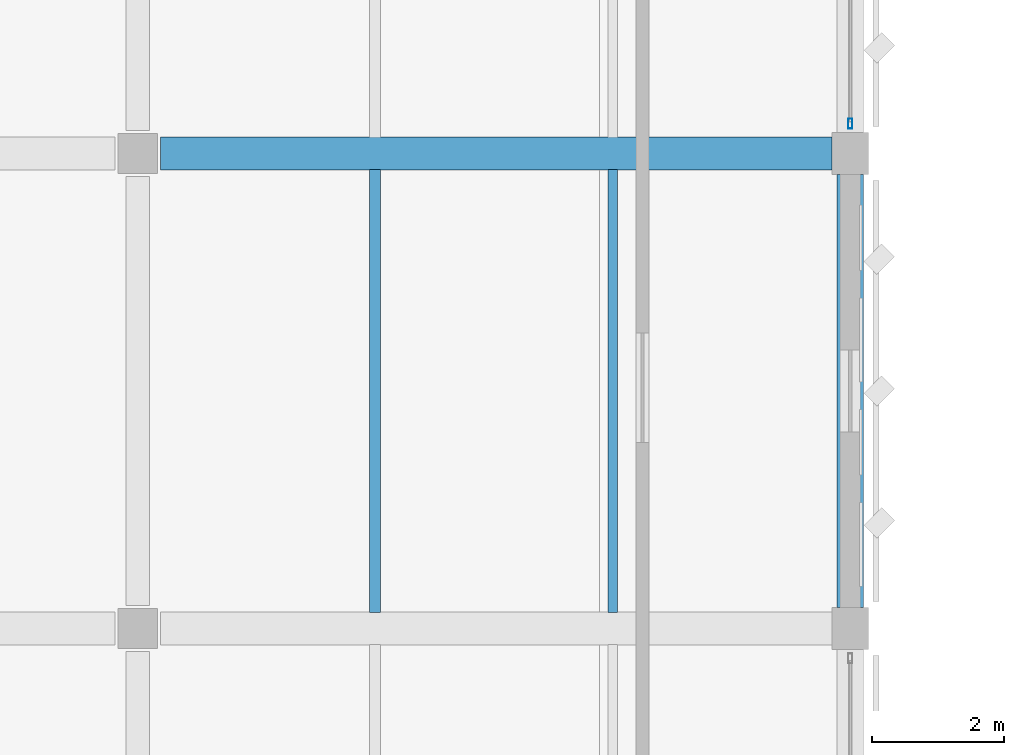
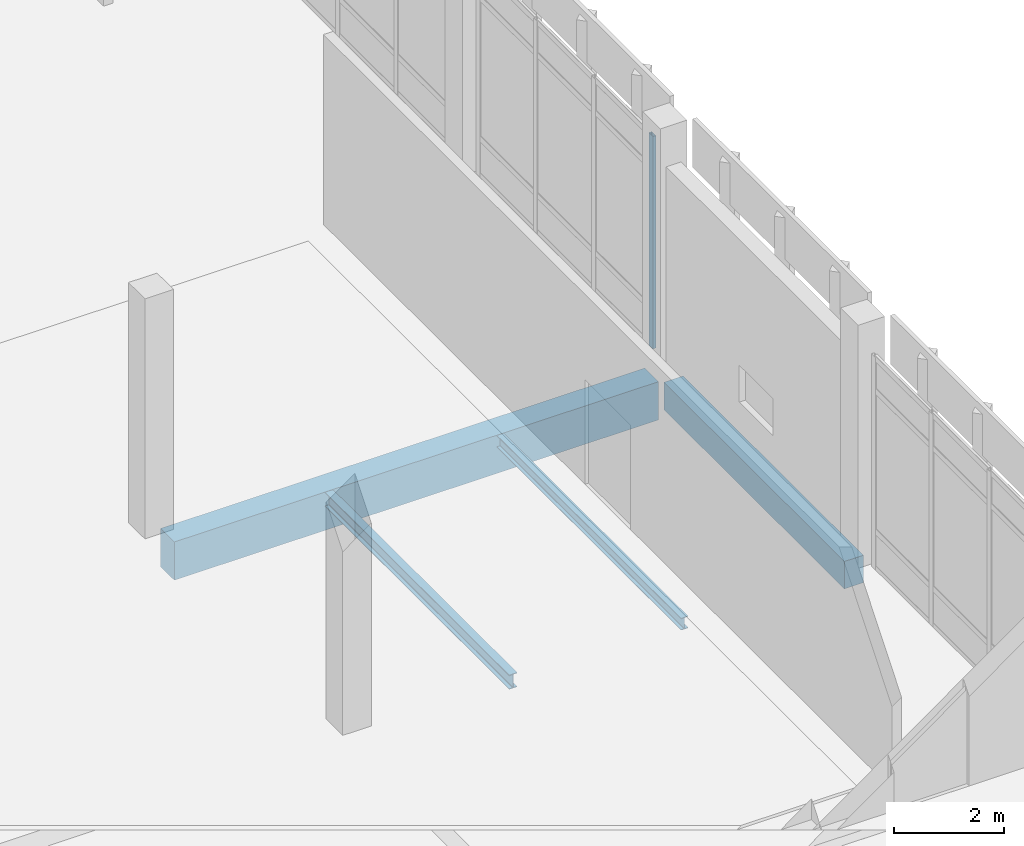
# One storey, part 26 of 180: 4 beams, 1 member, 1 element without a shape of its own.
"""IFC4 building model written with IfcOpenShell, lengths in metres."""

from ifc_helpers import new_model, si_unit, direction, frame, origin, origin_2d, place, context, subcontext, project, spatial, rectangle, hollow_rectangle, i_section, extrude, material, material_profile, profile_set, type_object, element, aggregate, save


model = new_model("IFC4")

# Units and contexts
model_context = context("Model", 3, precision=1e-05, world=origin(), true_north=direction((0.0, 1.0)))
body_context = subcontext(model_context, "Body", "Model", "MODEL_VIEW")
ifc_project = project(units=[si_unit("LENGTHUNIT", "METRE"), si_unit("AREAUNIT", "SQUARE_METRE"), si_unit("VOLUMEUNIT", "CUBIC_METRE"), si_unit("PLANEANGLEUNIT", "RADIAN"), si_unit("MASSUNIT", "GRAM", prefix="KILO")], contexts=[model_context])

# Site, building, storey
site_placement = place(None, origin())
site = spatial("IfcSite", under=ifc_project, at=site_placement, CompositionType="ELEMENT")
building_placement = place(site_placement, origin())
building = spatial("IfcBuilding", under=site, at=building_placement, Name="Lusvemor Sports Hall", CompositionType="ELEMENT")
storey_placement = place(building_placement, frame((0.0, 0.0, 5.39990234375)))
storey = spatial("IfcBuildingStorey", under=building, at=storey_placement, Name="L01", CompositionType="ELEMENT", Elevation=5.39990234375)

# Curtain wall, member
ifc_material_1 = material(Name="Thermally broken bronze-anodized aluminium", Category="aluminium")
curtain_wall_type = type_object("IfcCurtainWallType", Name="CW_WING_B", PredefinedType="NOTDEFINED", material=ifc_material_1)
curtain_wall_placement = place(storey_placement, origin())
curtain_wall = element("IfcCurtainWall", 1, at=curtain_wall_placement, inside=storey, type_object=curtain_wall_type, Name="Curtain Wall CW-L01-E-4-2", PredefinedType="NOTDEFINED")
ifc_material_2 = material(Name="Thermally broken bronze-anodized aluminium", Category="aluminium")
ifc_material_profile_1 = material_profile(ifc_material_2, hollow_rectangle(XDim=0.06494140625, YDim=0.14990234375, WallThickness=0.00390625, InnerFilletRadius=0.00390625, OuterFilletRadius=0.008056640625, at=origin_2d()), Name="CWMUL150x65x4")
ifc_profile_set_1 = profile_set([ifc_material_profile_1], Name="Thermally broken bronze-anodized aluminium")
member_type = type_object("IfcMemberType", Name="CW_MUL_B", PredefinedType="MULLION", material=ifc_profile_set_1)
member_placement = place(storey_placement, frame((21.60009765625, 61.652587890625, 0.0), z_axis=(0.0, 0.0, 1.0), x_axis=(1.0, 0.0, 0.0)))
member = element("IfcMember", 2, at=member_placement, type_object=member_type, Name="CW02 mullion 4", PredefinedType="MULLION", context=body_context, shape_type="SweptSolid", body=[
    extrude(hollow_rectangle(XDim=0.06494140625, YDim=0.14990234375, WallThickness=0.00390625, InnerFilletRadius=0.00390625, OuterFilletRadius=0.008056640625, at=origin_2d()), origin(), (0.0, 0.0, 1.0), 4.72021484375),
])
aggregate(curtain_wall, [member])

# Beams
ifc_material_3 = material(Name="Concrete C40/50", Category="concrete")
ifc_material_profile_2 = material_profile(ifc_material_3, rectangle(XDim=0.5, YDim=0.85009765625, at=origin_2d()), Name="RC500x850")
ifc_profile_set_2 = profile_set([ifc_material_profile_2], Name="Concrete C40/50")
beam_type_1 = type_object("IfcBeamType", Name="GIRD_RC_850", PredefinedType="T_BEAM", material=ifc_profile_set_2)
beam_1_placement = place(storey_placement, frame((11.14599609375, 61.199951171875, -0.684814453125), z_axis=(1.0, 0.0, 0.0), x_axis=(0.0, 1.0, 0.0)))
element("IfcBeam", 3, at=beam_1_placement, inside=storey, type_object=beam_type_1, Name="Beam L01 H:2-3", PredefinedType="T_BEAM", context=body_context, shape_type="SweptSolid", body=[
    extrude(rectangle(XDim=0.5, YDim=0.85009765625, at=origin_2d()), origin(), (0.0, 0.0, 1.0), 10.177978515625),
])
ifc_material_4 = material(Name="Steel S355", Category="steel")
ifc_material_profile_3 = material_profile(ifc_material_4, i_section(OverallWidth=0.14794921875, OverallDepth=0.26611328125, WebThickness=0.007568359375, FlangeThickness=0.012939453125, FilletRadius=0.012939453125, at=origin_2d()), Name="W250x44.8")
ifc_profile_set_3 = profile_set([ifc_material_profile_3], Name="Steel S355")
beam_type_2 = type_object("IfcBeamType", Name="JOIST_ST_250M", PredefinedType="JOIST", material=ifc_profile_set_3)
beam_2_placement = place(storey_placement, frame((18.0, 54.24609375, -0.39697265625), z_axis=(0.0, 1.0, 0.0), x_axis=(-1.0, 0.0, 0.0)))
element("IfcBeam", 4, at=beam_2_placement, inside=storey, type_object=beam_type_2, Name="Secondary Joist L01 2-3/G-H #2", PredefinedType="JOIST", context=body_context, shape_type="SweptSolid", body=[
    extrude(i_section(OverallWidth=0.14794921875, OverallDepth=0.26611328125, WebThickness=0.007568359375, FlangeThickness=0.012939453125, FilletRadius=0.012939453125, at=origin_2d()), origin(), (0.0, 0.0, 1.0), 6.7080078125),
])
ifc_material_5 = material(Name="Steel S355", Category="steel")
ifc_material_profile_4 = material_profile(ifc_material_5, i_section(OverallWidth=0.1669921875, OverallDepth=0.31689453125, WebThickness=0.007568359375, FlangeThickness=0.01318359375, FilletRadius=0.014892578125, at=origin_2d()), Name="W310x52.0")
ifc_profile_set_4 = profile_set([ifc_material_profile_4], Name="Steel S355")
beam_type_3 = type_object("IfcBeamType", Name="JOIST_ST_310M", PredefinedType="JOIST", material=ifc_profile_set_4)
beam_3_placement = place(storey_placement, frame((14.39990234375, 54.24609375, -0.42236328125), z_axis=(0.0, 1.0, 0.0), x_axis=(-1.0, 0.0, 0.0)))
element("IfcBeam", 5, at=beam_3_placement, inside=storey, type_object=beam_type_3, Name="Secondary Joist L01 2-3/G-H #1", PredefinedType="JOIST", context=body_context, shape_type="SweptSolid", body=[
    extrude(i_section(OverallWidth=0.1669921875, OverallDepth=0.31689453125, WebThickness=0.007568359375, FlangeThickness=0.01318359375, FilletRadius=0.014892578125, at=origin_2d()), origin(), (0.0, 0.0, 1.0), 6.7080078125),
])
ifc_material_6 = material(Name="Concrete C40/50", Category="concrete")
ifc_material_profile_5 = material_profile(ifc_material_6, rectangle(XDim=0.39990234375, YDim=0.610107421875, at=origin_2d()), Name="RC400x610")
ifc_profile_set_5 = profile_set([ifc_material_profile_5], Name="Concrete C40/50")
beam_type_4 = type_object("IfcBeamType", Name="SPAND_EXT_650", PredefinedType="SPANDREL", material=ifc_profile_set_5)
beam_4_placement = place(storey_placement, frame((21.60009765625, 54.31591796875, -0.56494140625), z_axis=(0.0, 1.0, 0.0), x_axis=(-1.0, 0.0, 0.0)))
element("IfcBeam", 6, at=beam_4_placement, inside=storey, type_object=beam_type_4, Name="Beam L01 3:G-H", PredefinedType="SPANDREL", context=body_context, shape_type="SweptSolid", body=[
    extrude(rectangle(XDim=0.39990234375, YDim=0.610107421875, at=origin_2d()), origin(), (0.0, 0.0, 1.0), 6.568115234375),
])

save(model, "model.ifc")
